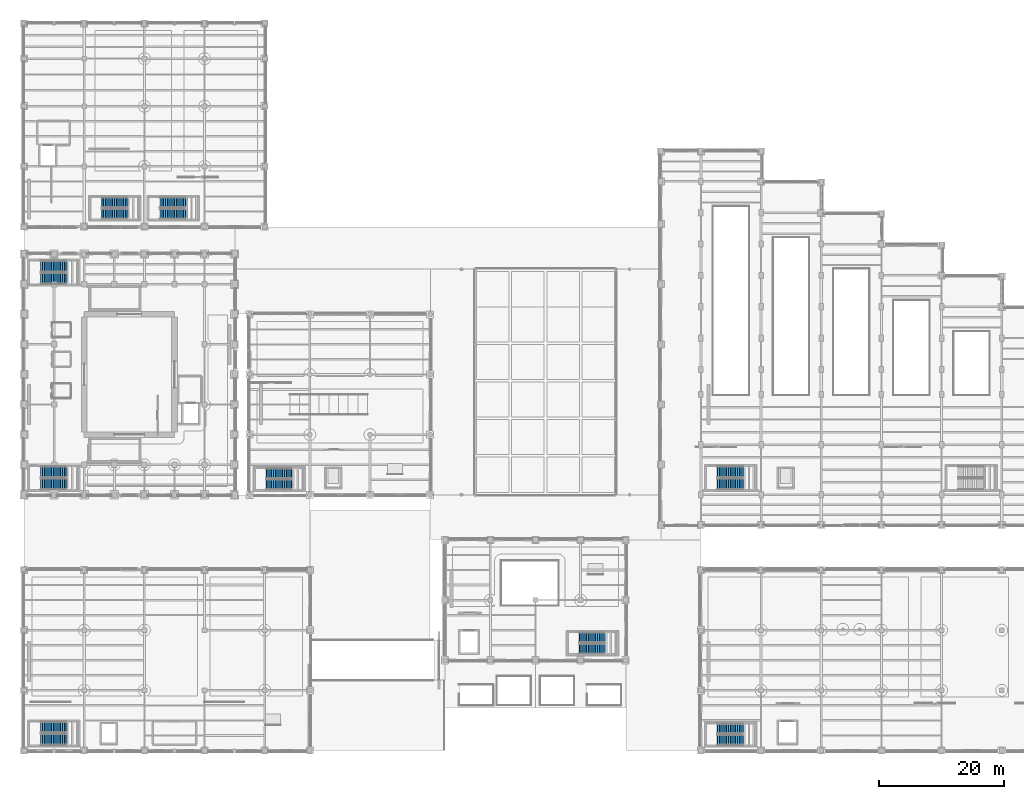
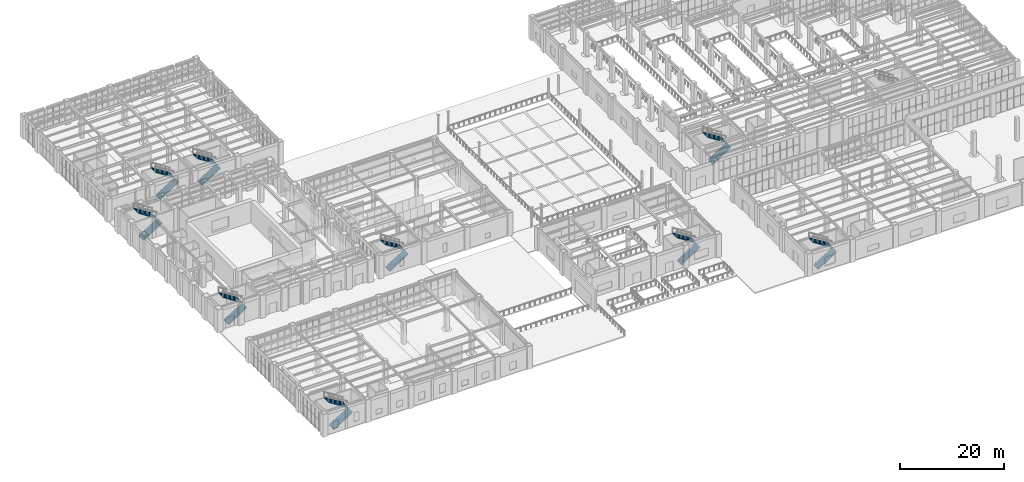
# One storey, part 138 of 164: 18 stair flights, 9 elements without a shape of their own.
"""IFC4 building model written with IfcOpenShell, lengths in metres."""

import ifcopenshell
import ifcopenshell.guid

model = None  # the IFC model being written
_history = None  # IfcOwnerHistory: only IFC2X3 demands one
_inside = {}  # id of a spatial element -> (the spatial element, [elements in it])
_under = {}  # id of a project, library or spatial element -> (it, [spatial elements below it])
_declared = {}  # id of a project -> (the project, [libraries it declares])
_typed = {}  # id of a type object -> (the type object, [elements of that type])
_made_of = {}  # id of a material, layer set ... -> (it, [elements and type objects made of it])


def new_model(schema):
    """Start an empty IFC model of exactly this schema.

    Asked for "IFC4X3", IfcOpenShell would pick the latest addendum, in which some entities
    have other attributes; the version numbers below select the first issue.
    IFC2X3 requires an IfcOwnerHistory on every rooted entity: one is made here for all.
    """
    global model, _history
    if schema == "IFC4X3":
        model = ifcopenshell.file(schema_version=(4, 3, 0, 0))
    else:
        model = ifcopenshell.file(schema=schema)
    _inside.clear()
    _under.clear()
    _declared.clear()
    _typed.clear()
    _made_of.clear()
    _history = None
    if model.schema == "IFC2X3":
        org = make("IfcOrganization", Name="unknown")
        user = make(
            "IfcPersonAndOrganization",
            ThePerson=make("IfcPerson", FamilyName="unknown"),
            TheOrganization=org,
        )
        app = make(
            "IfcApplication",
            ApplicationDeveloper=org,
            Version="unknown",
            ApplicationFullName="unknown",
            ApplicationIdentifier="unknown",
        )
        _history = make(
            "IfcOwnerHistory",
            OwningUser=user,
            OwningApplication=app,
            ChangeAction="ADDED",
            CreationDate=0,
        )
    return model


def make(cls, **values):
    """One entity of the class cls with the attributes given. An attribute that is None is left unset."""
    return model.create_entity(
        cls, **{name: value for name, value in values.items() if value is not None}
    )


def rooted(cls, **values):
    """An entity with a GlobalId (a new one), such as an element, a storey or a relation."""
    return make(cls, GlobalId=ifcopenshell.guid.new(), OwnerHistory=_history, **values)


def si_unit(unit_type, name, prefix=None):
    """IfcSIUnit, for example si_unit("LENGTHUNIT", "METRE", prefix="MILLI")."""
    return make("IfcSIUnit", UnitType=unit_type, Prefix=prefix, Name=name)


def assignment(units):
    """IfcUnitAssignment: the units of a project."""
    return None if units is None else make("IfcUnitAssignment", Units=units)


def point(xyz):
    """IfcCartesianPoint."""
    return None if xyz is None else make("IfcCartesianPoint", Coordinates=xyz)


def direction(xyz):
    """IfcDirection."""
    return None if xyz is None else make("IfcDirection", DirectionRatios=xyz)


def frame(location, z_axis=None, x_axis=None):
    """IfcAxis2Placement3D, a coordinate frame: its origin and axes. An axis left out is left unset."""
    return make(
        "IfcAxis2Placement3D",
        Location=point(location),
        Axis=direction(z_axis),
        RefDirection=direction(x_axis),
    )


def origin():
    """The frame at (0, 0, 0) with its axes left unset."""
    return frame((0.0, 0.0, 0.0))


def place(relative_to, where):
    """IfcLocalPlacement: puts the frame where relative to a parent placement (None: the world)."""
    return make(
        "IfcLocalPlacement", PlacementRelTo=relative_to, RelativePlacement=where
    )


def context(
    kind, dimensions, precision=None, world=None, true_north=None, identifier=None
):
    """IfcGeometricRepresentationContext, for example the 3D "Model" context."""
    return make(
        "IfcGeometricRepresentationContext",
        ContextIdentifier=identifier,
        ContextType=kind,
        CoordinateSpaceDimension=dimensions,
        Precision=precision,
        WorldCoordinateSystem=world,
        TrueNorth=true_north,
    )


def subcontext(parent, identifier, kind, view, scale=None):
    """IfcGeometricRepresentationSubContext, for example "Body" below "Model"."""
    return make(
        "IfcGeometricRepresentationSubContext",
        ContextIdentifier=identifier,
        ContextType=kind,
        ParentContext=parent,
        TargetScale=scale,
        TargetView=view,
    )


def project(units=None, contexts=None):
    """IfcProject with its units and contexts."""
    return rooted(
        "IfcProject",
        Name="project",
        RepresentationContexts=contexts,
        UnitsInContext=assignment(units),
    )


def spatial(cls, under=None, at=None, **own):
    """A site, building, storey or space (cls), placed at a placement, below another one or the project."""
    s = rooted(cls, ObjectPlacement=at, **own)
    if under is not None:
        _under.setdefault(under.id(), (under, []))[1].append(s)
    return s


def polyline(points):
    """IfcPolyline through the points."""
    return make("IfcPolyline", Points=[point(p) for p in points])


def outline(outer, holes=None, kind="AREA"):
    """IfcArbitraryClosedProfileDef: a profile drawn as a closed curve; with holes, ...WithVoids."""
    if holes is None:
        return make("IfcArbitraryClosedProfileDef", ProfileType=kind, OuterCurve=outer)
    return make(
        "IfcArbitraryProfileDefWithVoids",
        ProfileType=kind,
        OuterCurve=outer,
        InnerCurves=holes,
    )


def extrude(swept, where, along, depth):
    """IfcExtrudedAreaSolid: the profile swept, set in the frame where, extruded along a direction by depth."""
    return make(
        "IfcExtrudedAreaSolid",
        SweptArea=swept,
        Position=where,
        ExtrudedDirection=direction(along),
        Depth=depth,
    )


def shape(context_of_items, identifier, shape_type, items):
    """IfcShapeRepresentation: the items that make up one representation, for example the "Body"."""
    return make(
        "IfcShapeRepresentation",
        ContextOfItems=context_of_items,
        RepresentationIdentifier=identifier,
        RepresentationType=shape_type,
        Items=items,
    )


def material(Name=None, Category=None):
    """IfcMaterial."""
    return make("IfcMaterial", Name=Name, Category=Category)


def made_of(thing, what):
    """Note that an element or type object is made of a material, layer set ...; save() writes the relation."""
    if what is not None:
        _made_of.setdefault(what.id(), (what, []))[1].append(thing)
    return thing


def type_object(cls, material=None, **own):
    """A type object (cls), such as IfcWallType, which elements share."""
    return made_of(rooted(cls, **own), material)


def element(
    cls,
    number,
    at=None,
    inside=None,
    cuts=None,
    type_object=None,
    material=None,
    context=None,
    identifier="Body",
    shape_type=None,
    held_by="IfcProductDefinitionShape",
    body=None,
    shapes=None,
    **own,
):
    """One element of the class cls, such as IfcWall. Its Tag is "e" and its number.

    at: its placement. inside: the storey or other place that contains it. cuts: it is an
    opening in that element (IfcRelVoidsElement). A single representation is given by context,
    identifier, shape_type and body (its items); several are given by shapes. held_by: the class
    of the entity that holds the representations. save() writes the other relations.
    """
    e = rooted(cls, Tag="e%d" % number, ObjectPlacement=at, **own)
    if body is not None:
        shapes = [shape(context, identifier, shape_type, body)]
    if shapes is not None:
        e.Representation = make(held_by, Representations=shapes)
    if inside is not None:
        _inside.setdefault(inside.id(), (inside, []))[1].append(e)
    if cuts is not None:
        rooted(
            "IfcRelVoidsElement", RelatingBuildingElement=cuts, RelatedOpeningElement=e
        )
    if type_object is not None:
        _typed.setdefault(type_object.id(), (type_object, []))[1].append(e)
    return made_of(e, material)


def aggregate(whole, parts):
    """IfcRelAggregates: a whole, such as a stair, and the parts it consists of."""
    return rooted("IfcRelAggregates", RelatingObject=whole, RelatedObjects=parts)


def save(model, path):
    """Write the relations noted so far, then the file.

    IfcRelAggregates (storeys below a building ...), IfcRelContainedInSpatialStructure (elements
    in a storey), IfcRelDefinesByType, IfcRelAssociatesMaterial and IfcRelDeclares: one each for
    every whole, place, type object, material and project.
    """
    for whole, parts in _under.values():
        aggregate(whole, parts)
    for where, things in _inside.values():
        rooted(
            "IfcRelContainedInSpatialStructure",
            RelatedElements=things,
            RelatingStructure=where,
        )
    for kind, things in _typed.values():
        rooted("IfcRelDefinesByType", RelatedObjects=things, RelatingType=kind)
    for what, things in _made_of.values():
        rooted("IfcRelAssociatesMaterial", RelatedObjects=things, RelatingMaterial=what)
    for by, libraries in _declared.values():
        rooted("IfcRelDeclares", RelatingContext=by, RelatedDefinitions=libraries)
    model.write(path)


model = new_model("IFC4")

# Units and contexts
model_context = context("Model", 3, precision=1e-05, world=origin(), true_north=direction((0.0, 1.0)))
body_context = subcontext(model_context, "Body", "Model", "MODEL_VIEW")
ifc_project = project(units=[si_unit("LENGTHUNIT", "METRE"), si_unit("AREAUNIT", "SQUARE_METRE"), si_unit("VOLUMEUNIT", "CUBIC_METRE"), si_unit("PLANEANGLEUNIT", "RADIAN"), si_unit("MASSUNIT", "GRAM", prefix="KILO")], contexts=[model_context])

# Site, building, storey
site_placement = place(None, origin())
site = spatial("IfcSite", under=ifc_project, at=site_placement, CompositionType="ELEMENT")
building_placement = place(site_placement, origin())
building = spatial("IfcBuilding", under=site, at=building_placement, Name="Mavantir Sound Aquarium", CompositionType="ELEMENT")
storey_placement = place(building_placement, origin())
storey = spatial("IfcBuildingStorey", under=building, at=storey_placement, Name="L00", CompositionType="ELEMENT", Elevation=0.0)

# Stair, stair flights
ifc_material = material(Name="Concrete C40/50", Category="concrete")
stair_type_1 = type_object("IfcStairType", Name="STR-1650-5400", PredefinedType="HALF_TURN_STAIR", material=ifc_material)
stair_1_placement = place(storey_placement, origin())
stair_1 = element("IfcStair", 1, at=stair_1_placement, inside=storey, type_object=stair_type_1, Name="L00 Protected exit stair ST5", PredefinedType="HALF_TURN_STAIR")
stair_flight_type_1 = type_object("IfcStairFlightType", Name="STF-1650-5400", PredefinedType="STRAIGHT", material=ifc_material)
stair_flight_1_placement = place(storey_placement, frame((12.39990234375, 85.625, 0.0), z_axis=(0.0, 0.0, 1.0), x_axis=(1.0, 0.0, 0.0)))
stair_flight_1 = element("IfcStairFlight", 2, at=stair_flight_1_placement, type_object=stair_flight_type_1, Name="ST5 flight 1", NumberOfRisers=15, NumberOfTreads=14, PredefinedType="STRAIGHT", RiserHeight=0.18, TreadLength=0.29, context=body_context, shape_type="SweptSolid", body=[
    extrude(outline(polyline([(-0.044921875, -0.139892578125), (-0.044921875, 0.0), (0.0, 0.0), (0.0, 0.179931640625), (0.2900390625, 0.179931640625), (0.2900390625, 0.360107421875), (0.580078125, 0.360107421875), (0.580078125, 0.5400390625), (0.8701171875, 0.5400390625), (0.8701171875, 0.719970703125), (1.159912109375, 0.719970703125), (1.159912109375, 0.89990234375), (1.449951171875, 0.89990234375), (1.449951171875, 1.080078125), (1.739990234375, 1.080078125), (1.739990234375, 1.260009765625), (2.030029296875, 1.260009765625), (2.030029296875, 1.43994140625), (2.320068359375, 1.43994140625), (2.320068359375, 1.6201171875), (2.610107421875, 1.6201171875), (2.610107421875, 1.800048828125), (2.89990234375, 1.800048828125), (2.89990234375, 1.97998046875), (3.18994140625, 1.97998046875), (3.18994140625, 2.159912109375), (3.47998046875, 2.159912109375), (3.47998046875, 2.340087890625), (3.77001953125, 2.340087890625), (3.77001953125, 2.52001953125), (4.06005859375, 2.52001953125), (4.06005859375, 2.699951171875), (4.10498046875, 2.699951171875), (4.10498046875, 2.3798828125), (4.06005859375, 2.3798828125), (0.2255859375, -0.139892578125), (-0.044921875, -0.139892578125)])), frame((0.0, 0.824951171875, 0.0), z_axis=(0.0, -1.0, 0.0), x_axis=(1.0, 0.0, 0.0)), (0.0, 0.0, 1.0), 1.64990234375),
])
stair_flight_2_placement = place(storey_placement, frame((16.4599609375, 87.425048828125, 2.699951171875), z_axis=(0.0, 0.0, 1.0), x_axis=(-1.0, 0.0, 0.0)))
stair_flight_2 = element("IfcStairFlight", 3, at=stair_flight_2_placement, type_object=stair_flight_type_1, Name="ST5 flight 2", NumberOfRisers=15, NumberOfTreads=14, PredefinedType="STRAIGHT", RiserHeight=0.18, TreadLength=0.29, context=body_context, shape_type="SweptSolid", body=[
    extrude(outline(polyline([(-0.044921875, -0.139892578125), (-0.044921875, 0.0), (0.0, 0.0), (0.0, 0.179931640625), (0.2900390625, 0.179931640625), (0.2900390625, 0.360107421875), (0.580078125, 0.360107421875), (0.580078125, 0.5400390625), (0.8701171875, 0.5400390625), (0.8701171875, 0.719970703125), (1.159912109375, 0.719970703125), (1.159912109375, 0.89990234375), (1.449951171875, 0.89990234375), (1.449951171875, 1.080078125), (1.739990234375, 1.080078125), (1.739990234375, 1.260009765625), (2.030029296875, 1.260009765625), (2.030029296875, 1.43994140625), (2.320068359375, 1.43994140625), (2.320068359375, 1.6201171875), (2.610107421875, 1.6201171875), (2.610107421875, 1.800048828125), (2.89990234375, 1.800048828125), (2.89990234375, 1.97998046875), (3.18994140625, 1.97998046875), (3.18994140625, 2.159912109375), (3.47998046875, 2.159912109375), (3.47998046875, 2.340087890625), (3.77001953125, 2.340087890625), (3.77001953125, 2.52001953125), (4.06005859375, 2.52001953125), (4.06005859375, 2.699951171875), (4.10498046875, 2.699951171875), (4.10498046875, 2.3798828125), (4.06005859375, 2.3798828125), (0.2255859375, -0.139892578125), (-0.044921875, -0.139892578125)])), frame((0.0, 0.824951171875, 0.0), z_axis=(0.0, -1.0, 0.0), x_axis=(1.0, 0.0, 0.0)), (0.0, 0.0, 1.0), 1.64990234375),
])
aggregate(stair_1, [stair_flight_1, stair_flight_2])

stair_2_placement = place(storey_placement, origin())
stair_2 = element("IfcStair", 4, at=stair_2_placement, inside=storey, type_object=stair_type_1, Name="L00 Protected exit stair ST7", PredefinedType="HALF_TURN_STAIR")
stair_flight_3_placement = place(storey_placement, frame((21.699951171875, 85.625, 0.0), z_axis=(0.0, 0.0, 1.0), x_axis=(1.0, 0.0, 0.0)))
stair_flight_3 = element("IfcStairFlight", 5, at=stair_flight_3_placement, type_object=stair_flight_type_1, Name="ST7 flight 1", NumberOfRisers=15, NumberOfTreads=14, PredefinedType="STRAIGHT", RiserHeight=0.18, TreadLength=0.29, context=body_context, shape_type="SweptSolid", body=[
    extrude(outline(polyline([(-0.044921875, -0.139892578125), (-0.044921875, 0.0), (0.0, 0.0), (0.0, 0.179931640625), (0.2900390625, 0.179931640625), (0.2900390625, 0.360107421875), (0.580078125, 0.360107421875), (0.580078125, 0.5400390625), (0.8701171875, 0.5400390625), (0.8701171875, 0.719970703125), (1.159912109375, 0.719970703125), (1.159912109375, 0.89990234375), (1.449951171875, 0.89990234375), (1.449951171875, 1.080078125), (1.739990234375, 1.080078125), (1.739990234375, 1.260009765625), (2.030029296875, 1.260009765625), (2.030029296875, 1.43994140625), (2.320068359375, 1.43994140625), (2.320068359375, 1.6201171875), (2.610107421875, 1.6201171875), (2.610107421875, 1.800048828125), (2.89990234375, 1.800048828125), (2.89990234375, 1.97998046875), (3.18994140625, 1.97998046875), (3.18994140625, 2.159912109375), (3.47998046875, 2.159912109375), (3.47998046875, 2.340087890625), (3.77001953125, 2.340087890625), (3.77001953125, 2.52001953125), (4.06005859375, 2.52001953125), (4.06005859375, 2.699951171875), (4.10498046875, 2.699951171875), (4.10498046875, 2.3798828125), (4.06005859375, 2.3798828125), (0.2255859375, -0.139892578125), (-0.044921875, -0.139892578125)])), frame((0.0, 0.824951171875, 0.0), z_axis=(0.0, -1.0, 0.0), x_axis=(1.0, 0.0, 0.0)), (0.0, 0.0, 1.0), 1.64990234375),
])
stair_flight_4_placement = place(storey_placement, frame((25.760009765625, 87.425048828125, 2.699951171875), z_axis=(0.0, 0.0, 1.0), x_axis=(-1.0, 0.0, 0.0)))
stair_flight_4 = element("IfcStairFlight", 6, at=stair_flight_4_placement, type_object=stair_flight_type_1, Name="ST7 flight 2", NumberOfRisers=15, NumberOfTreads=14, PredefinedType="STRAIGHT", RiserHeight=0.18, TreadLength=0.29, context=body_context, shape_type="SweptSolid", body=[
    extrude(outline(polyline([(-0.044921875, -0.139892578125), (-0.044921875, 0.0), (0.0, 0.0), (0.0, 0.179931640625), (0.2900390625, 0.179931640625), (0.2900390625, 0.360107421875), (0.580078125, 0.360107421875), (0.580078125, 0.5400390625), (0.8701171875, 0.5400390625), (0.8701171875, 0.719970703125), (1.159912109375, 0.719970703125), (1.159912109375, 0.89990234375), (1.449951171875, 0.89990234375), (1.449951171875, 1.080078125), (1.739990234375, 1.080078125), (1.739990234375, 1.260009765625), (2.030029296875, 1.260009765625), (2.030029296875, 1.43994140625), (2.320068359375, 1.43994140625), (2.320068359375, 1.6201171875), (2.610107421875, 1.6201171875), (2.610107421875, 1.800048828125), (2.89990234375, 1.800048828125), (2.89990234375, 1.97998046875), (3.18994140625, 1.97998046875), (3.18994140625, 2.159912109375), (3.47998046875, 2.159912109375), (3.47998046875, 2.340087890625), (3.77001953125, 2.340087890625), (3.77001953125, 2.52001953125), (4.06005859375, 2.52001953125), (4.06005859375, 2.699951171875), (4.10498046875, 2.699951171875), (4.10498046875, 2.3798828125), (4.06005859375, 2.3798828125), (0.2255859375, -0.139892578125), (-0.044921875, -0.139892578125)])), frame((0.0, 0.824951171875, 0.0), z_axis=(0.0, -1.0, 0.0), x_axis=(1.0, 0.0, 0.0)), (0.0, 0.0, 1.0), 1.64990234375),
])
aggregate(stair_2, [stair_flight_3, stair_flight_4])

stair_3_placement = place(storey_placement, origin())
stair_3 = element("IfcStair", 7, at=stair_3_placement, inside=storey, type_object=stair_type_1, Name="L00 Protected exit stair ST6", PredefinedType="HALF_TURN_STAIR")
stair_flight_5_placement = place(storey_placement, frame((110.64990234375, 1.675048828125, 0.0), z_axis=(0.0, 0.0, 1.0), x_axis=(1.0, 0.0, 0.0)))
stair_flight_5 = element("IfcStairFlight", 8, at=stair_flight_5_placement, type_object=stair_flight_type_1, Name="ST6 flight 1", NumberOfRisers=15, NumberOfTreads=14, PredefinedType="STRAIGHT", RiserHeight=0.18, TreadLength=0.29, context=body_context, shape_type="SweptSolid", body=[
    extrude(outline(polyline([(-0.044921875, -0.139892578125), (-0.044921875, 0.0), (0.0, 0.0), (0.0, 0.179931640625), (0.2900390625, 0.179931640625), (0.2900390625, 0.360107421875), (0.580078125, 0.360107421875), (0.580078125, 0.5400390625), (0.8701171875, 0.5400390625), (0.8701171875, 0.719970703125), (1.159912109375, 0.719970703125), (1.159912109375, 0.89990234375), (1.449951171875, 0.89990234375), (1.449951171875, 1.080078125), (1.739990234375, 1.080078125), (1.739990234375, 1.260009765625), (2.030029296875, 1.260009765625), (2.030029296875, 1.43994140625), (2.320068359375, 1.43994140625), (2.320068359375, 1.6201171875), (2.610107421875, 1.6201171875), (2.610107421875, 1.800048828125), (2.89990234375, 1.800048828125), (2.89990234375, 1.97998046875), (3.18994140625, 1.97998046875), (3.18994140625, 2.159912109375), (3.47998046875, 2.159912109375), (3.47998046875, 2.340087890625), (3.77001953125, 2.340087890625), (3.77001953125, 2.52001953125), (4.06005859375, 2.52001953125), (4.06005859375, 2.699951171875), (4.10498046875, 2.699951171875), (4.10498046875, 2.3798828125), (4.06005859375, 2.3798828125), (0.2255859375, -0.139892578125), (-0.044921875, -0.139892578125)])), frame((0.0, 0.824951171875, 0.0), z_axis=(0.0, -1.0, 0.0), x_axis=(1.0, 0.0, 0.0)), (0.0, 0.0, 1.0), 1.64990234375),
])
stair_flight_6_placement = place(storey_placement, frame((114.7099609375, 3.47509765625, 2.699951171875), z_axis=(0.0, 0.0, 1.0), x_axis=(-1.0, 0.0, 0.0)))
stair_flight_6 = element("IfcStairFlight", 9, at=stair_flight_6_placement, type_object=stair_flight_type_1, Name="ST6 flight 2", NumberOfRisers=15, NumberOfTreads=14, PredefinedType="STRAIGHT", RiserHeight=0.18, TreadLength=0.29, context=body_context, shape_type="SweptSolid", body=[
    extrude(outline(polyline([(-0.044921875, -0.139892578125), (-0.044921875, 0.0), (0.0, 0.0), (0.0, 0.179931640625), (0.2900390625, 0.179931640625), (0.2900390625, 0.360107421875), (0.580078125, 0.360107421875), (0.580078125, 0.5400390625), (0.8701171875, 0.5400390625), (0.8701171875, 0.719970703125), (1.159912109375, 0.719970703125), (1.159912109375, 0.89990234375), (1.449951171875, 0.89990234375), (1.449951171875, 1.080078125), (1.739990234375, 1.080078125), (1.739990234375, 1.260009765625), (2.030029296875, 1.260009765625), (2.030029296875, 1.43994140625), (2.320068359375, 1.43994140625), (2.320068359375, 1.6201171875), (2.610107421875, 1.6201171875), (2.610107421875, 1.800048828125), (2.89990234375, 1.800048828125), (2.89990234375, 1.97998046875), (3.18994140625, 1.97998046875), (3.18994140625, 2.159912109375), (3.47998046875, 2.159912109375), (3.47998046875, 2.340087890625), (3.77001953125, 2.340087890625), (3.77001953125, 2.52001953125), (4.06005859375, 2.52001953125), (4.06005859375, 2.699951171875), (4.10498046875, 2.699951171875), (4.10498046875, 2.3798828125), (4.06005859375, 2.3798828125), (0.2255859375, -0.139892578125), (-0.044921875, -0.139892578125)])), frame((0.0, 0.824951171875, 0.0), z_axis=(0.0, -1.0, 0.0), x_axis=(1.0, 0.0, 0.0)), (0.0, 0.0, 1.0), 1.64990234375),
])
aggregate(stair_3, [stair_flight_5, stair_flight_6])

stair_4_placement = place(storey_placement, origin())
stair_4 = element("IfcStair", 10, at=stair_4_placement, inside=storey, type_object=stair_type_1, Name="L00 Protected exit stair ST8", PredefinedType="HALF_TURN_STAIR")
stair_flight_7_placement = place(storey_placement, frame((38.64990234375, 42.425048828125, 0.0), z_axis=(0.0, 0.0, 1.0), x_axis=(1.0, 0.0, 0.0)))
stair_flight_7 = element("IfcStairFlight", 11, at=stair_flight_7_placement, type_object=stair_flight_type_1, Name="ST8 flight 1", NumberOfRisers=15, NumberOfTreads=14, PredefinedType="STRAIGHT", RiserHeight=0.18, TreadLength=0.29, context=body_context, shape_type="SweptSolid", body=[
    extrude(outline(polyline([(-0.044921875, -0.139892578125), (-0.044921875, 0.0), (0.0, 0.0), (0.0, 0.179931640625), (0.2900390625, 0.179931640625), (0.2900390625, 0.360107421875), (0.580078125, 0.360107421875), (0.580078125, 0.5400390625), (0.8701171875, 0.5400390625), (0.8701171875, 0.719970703125), (1.159912109375, 0.719970703125), (1.159912109375, 0.89990234375), (1.449951171875, 0.89990234375), (1.449951171875, 1.080078125), (1.739990234375, 1.080078125), (1.739990234375, 1.260009765625), (2.030029296875, 1.260009765625), (2.030029296875, 1.43994140625), (2.320068359375, 1.43994140625), (2.320068359375, 1.6201171875), (2.610107421875, 1.6201171875), (2.610107421875, 1.800048828125), (2.89990234375, 1.800048828125), (2.89990234375, 1.97998046875), (3.18994140625, 1.97998046875), (3.18994140625, 2.159912109375), (3.47998046875, 2.159912109375), (3.47998046875, 2.340087890625), (3.77001953125, 2.340087890625), (3.77001953125, 2.52001953125), (4.06005859375, 2.52001953125), (4.06005859375, 2.699951171875), (4.10498046875, 2.699951171875), (4.10498046875, 2.3798828125), (4.06005859375, 2.3798828125), (0.2255859375, -0.139892578125), (-0.044921875, -0.139892578125)])), frame((0.0, 0.824951171875, 0.0), z_axis=(0.0, -1.0, 0.0), x_axis=(1.0, 0.0, 0.0)), (0.0, 0.0, 1.0), 1.64990234375),
])
stair_flight_8_placement = place(storey_placement, frame((42.7099609375, 44.22509765625, 2.699951171875), z_axis=(0.0, 0.0, 1.0), x_axis=(-1.0, 0.0, 0.0)))
stair_flight_8 = element("IfcStairFlight", 12, at=stair_flight_8_placement, type_object=stair_flight_type_1, Name="ST8 flight 2", NumberOfRisers=15, NumberOfTreads=14, PredefinedType="STRAIGHT", RiserHeight=0.18, TreadLength=0.29, context=body_context, shape_type="SweptSolid", body=[
    extrude(outline(polyline([(-0.044921875, -0.139892578125), (-0.044921875, 0.0), (0.0, 0.0), (0.0, 0.179931640625), (0.2900390625, 0.179931640625), (0.2900390625, 0.360107421875), (0.580078125, 0.360107421875), (0.580078125, 0.5400390625), (0.8701171875, 0.5400390625), (0.8701171875, 0.719970703125), (1.159912109375, 0.719970703125), (1.159912109375, 0.89990234375), (1.449951171875, 0.89990234375), (1.449951171875, 1.080078125), (1.739990234375, 1.080078125), (1.739990234375, 1.260009765625), (2.030029296875, 1.260009765625), (2.030029296875, 1.43994140625), (2.320068359375, 1.43994140625), (2.320068359375, 1.6201171875), (2.610107421875, 1.6201171875), (2.610107421875, 1.800048828125), (2.89990234375, 1.800048828125), (2.89990234375, 1.97998046875), (3.18994140625, 1.97998046875), (3.18994140625, 2.159912109375), (3.47998046875, 2.159912109375), (3.47998046875, 2.340087890625), (3.77001953125, 2.340087890625), (3.77001953125, 2.52001953125), (4.06005859375, 2.52001953125), (4.06005859375, 2.699951171875), (4.10498046875, 2.699951171875), (4.10498046875, 2.3798828125), (4.06005859375, 2.3798828125), (0.2255859375, -0.139892578125), (-0.044921875, -0.139892578125)])), frame((0.0, 0.824951171875, 0.0), z_axis=(0.0, -1.0, 0.0), x_axis=(1.0, 0.0, 0.0)), (0.0, 0.0, 1.0), 1.64990234375),
])
aggregate(stair_4, [stair_flight_7, stair_flight_8])

stair_5_placement = place(storey_placement, origin())
stair_5 = element("IfcStair", 13, at=stair_5_placement, inside=storey, type_object=stair_type_1, Name="L00 Protected exit stair ST11", PredefinedType="HALF_TURN_STAIR")
stair_flight_9_placement = place(storey_placement, frame((88.60009765625, 16.22509765625, 0.0), z_axis=(0.0, 0.0, 1.0), x_axis=(1.0, 0.0, 0.0)))
stair_flight_9 = element("IfcStairFlight", 14, at=stair_flight_9_placement, type_object=stair_flight_type_1, Name="ST11 flight 1", NumberOfRisers=15, NumberOfTreads=14, PredefinedType="STRAIGHT", RiserHeight=0.18, TreadLength=0.29, context=body_context, shape_type="SweptSolid", body=[
    extrude(outline(polyline([(-0.044921875, -0.139892578125), (-0.044921875, 0.0), (0.0, 0.0), (0.0, 0.179931640625), (0.2900390625, 0.179931640625), (0.2900390625, 0.360107421875), (0.580078125, 0.360107421875), (0.580078125, 0.5400390625), (0.8701171875, 0.5400390625), (0.8701171875, 0.719970703125), (1.159912109375, 0.719970703125), (1.159912109375, 0.89990234375), (1.449951171875, 0.89990234375), (1.449951171875, 1.080078125), (1.739990234375, 1.080078125), (1.739990234375, 1.260009765625), (2.030029296875, 1.260009765625), (2.030029296875, 1.43994140625), (2.320068359375, 1.43994140625), (2.320068359375, 1.6201171875), (2.610107421875, 1.6201171875), (2.610107421875, 1.800048828125), (2.89990234375, 1.800048828125), (2.89990234375, 1.97998046875), (3.18994140625, 1.97998046875), (3.18994140625, 2.159912109375), (3.47998046875, 2.159912109375), (3.47998046875, 2.340087890625), (3.77001953125, 2.340087890625), (3.77001953125, 2.52001953125), (4.06005859375, 2.52001953125), (4.06005859375, 2.699951171875), (4.10498046875, 2.699951171875), (4.10498046875, 2.3798828125), (4.06005859375, 2.3798828125), (0.2255859375, -0.139892578125), (-0.044921875, -0.139892578125)])), frame((0.0, 0.824951171875, 0.0), z_axis=(0.0, -1.0, 0.0), x_axis=(1.0, 0.0, 0.0)), (0.0, 0.0, 1.0), 1.64990234375),
])
stair_flight_10_placement = place(storey_placement, frame((92.659912109375, 18.02490234375, 2.699951171875), z_axis=(0.0, 0.0, 1.0), x_axis=(-1.0, 0.0, 0.0)))
stair_flight_10 = element("IfcStairFlight", 15, at=stair_flight_10_placement, type_object=stair_flight_type_1, Name="ST11 flight 2", NumberOfRisers=15, NumberOfTreads=14, PredefinedType="STRAIGHT", RiserHeight=0.18, TreadLength=0.29, context=body_context, shape_type="SweptSolid", body=[
    extrude(outline(polyline([(-0.044921875, -0.139892578125), (-0.044921875, 0.0), (0.0, 0.0), (0.0, 0.179931640625), (0.2900390625, 0.179931640625), (0.2900390625, 0.360107421875), (0.580078125, 0.360107421875), (0.580078125, 0.5400390625), (0.8701171875, 0.5400390625), (0.8701171875, 0.719970703125), (1.159912109375, 0.719970703125), (1.159912109375, 0.89990234375), (1.449951171875, 0.89990234375), (1.449951171875, 1.080078125), (1.739990234375, 1.080078125), (1.739990234375, 1.260009765625), (2.030029296875, 1.260009765625), (2.030029296875, 1.43994140625), (2.320068359375, 1.43994140625), (2.320068359375, 1.6201171875), (2.610107421875, 1.6201171875), (2.610107421875, 1.800048828125), (2.89990234375, 1.800048828125), (2.89990234375, 1.97998046875), (3.18994140625, 1.97998046875), (3.18994140625, 2.159912109375), (3.47998046875, 2.159912109375), (3.47998046875, 2.340087890625), (3.77001953125, 2.340087890625), (3.77001953125, 2.52001953125), (4.06005859375, 2.52001953125), (4.06005859375, 2.699951171875), (4.10498046875, 2.699951171875), (4.10498046875, 2.3798828125), (4.06005859375, 2.3798828125), (0.2255859375, -0.139892578125), (-0.044921875, -0.139892578125)])), frame((0.0, 0.824951171875, 0.0), z_axis=(0.0, -1.0, 0.0), x_axis=(1.0, 0.0, 0.0)), (0.0, 0.0, 1.0), 1.64990234375),
])
aggregate(stair_5, [stair_flight_9, stair_flight_10])

stair_type_2 = type_object("IfcStairType", Name="STR-1800-5400", PredefinedType="HALF_TURN_STAIR", material=ifc_material)
stair_6_placement = place(storey_placement, origin())
stair_6 = element("IfcStair", 16, at=stair_6_placement, inside=storey, type_object=stair_type_2, Name="L00 Protected exit stair ST1", PredefinedType="HALF_TURN_STAIR")
stair_flight_type_2 = type_object("IfcStairFlightType", Name="STF-1800-5400", PredefinedType="STRAIGHT", material=ifc_material)
stair_flight_11_placement = place(storey_placement, frame((2.64990234375, 42.5, 0.0), z_axis=(0.0, 0.0, 1.0), x_axis=(1.0, 0.0, 0.0)))
stair_flight_11 = element("IfcStairFlight", 17, at=stair_flight_11_placement, type_object=stair_flight_type_2, Name="ST1 flight 1", NumberOfRisers=15, NumberOfTreads=14, PredefinedType="STRAIGHT", RiserHeight=0.18, TreadLength=0.29, context=body_context, shape_type="SweptSolid", body=[
    extrude(outline(polyline([(-0.044921875, -0.139892578125), (-0.044921875, 0.0), (0.0, 0.0), (0.0, 0.179931640625), (0.2900390625, 0.179931640625), (0.2900390625, 0.360107421875), (0.580078125, 0.360107421875), (0.580078125, 0.5400390625), (0.8701171875, 0.5400390625), (0.8701171875, 0.719970703125), (1.159912109375, 0.719970703125), (1.159912109375, 0.89990234375), (1.449951171875, 0.89990234375), (1.449951171875, 1.080078125), (1.739990234375, 1.080078125), (1.739990234375, 1.260009765625), (2.030029296875, 1.260009765625), (2.030029296875, 1.43994140625), (2.320068359375, 1.43994140625), (2.320068359375, 1.6201171875), (2.610107421875, 1.6201171875), (2.610107421875, 1.800048828125), (2.89990234375, 1.800048828125), (2.89990234375, 1.97998046875), (3.18994140625, 1.97998046875), (3.18994140625, 2.159912109375), (3.47998046875, 2.159912109375), (3.47998046875, 2.340087890625), (3.77001953125, 2.340087890625), (3.77001953125, 2.52001953125), (4.06005859375, 2.52001953125), (4.06005859375, 2.699951171875), (4.10498046875, 2.699951171875), (4.10498046875, 2.3798828125), (4.06005859375, 2.3798828125), (0.2255859375, -0.139892578125), (-0.044921875, -0.139892578125)])), frame((0.0, 0.89990234375, 0.0), z_axis=(0.0, -1.0, 0.0), x_axis=(1.0, 0.0, 0.0)), (0.0, 0.0, 1.0), 1.800048828125),
])
stair_flight_12_placement = place(storey_placement, frame((6.7099609375, 44.449951171875, 2.699951171875), z_axis=(0.0, 0.0, 1.0), x_axis=(-1.0, 0.0, 0.0)))
stair_flight_12 = element("IfcStairFlight", 18, at=stair_flight_12_placement, type_object=stair_flight_type_2, Name="ST1 flight 2", NumberOfRisers=15, NumberOfTreads=14, PredefinedType="STRAIGHT", RiserHeight=0.18, TreadLength=0.29, context=body_context, shape_type="SweptSolid", body=[
    extrude(outline(polyline([(-0.044921875, -0.139892578125), (-0.044921875, 0.0), (0.0, 0.0), (0.0, 0.179931640625), (0.2900390625, 0.179931640625), (0.2900390625, 0.360107421875), (0.580078125, 0.360107421875), (0.580078125, 0.5400390625), (0.8701171875, 0.5400390625), (0.8701171875, 0.719970703125), (1.159912109375, 0.719970703125), (1.159912109375, 0.89990234375), (1.449951171875, 0.89990234375), (1.449951171875, 1.080078125), (1.739990234375, 1.080078125), (1.739990234375, 1.260009765625), (2.030029296875, 1.260009765625), (2.030029296875, 1.43994140625), (2.320068359375, 1.43994140625), (2.320068359375, 1.6201171875), (2.610107421875, 1.6201171875), (2.610107421875, 1.800048828125), (2.89990234375, 1.800048828125), (2.89990234375, 1.97998046875), (3.18994140625, 1.97998046875), (3.18994140625, 2.159912109375), (3.47998046875, 2.159912109375), (3.47998046875, 2.340087890625), (3.77001953125, 2.340087890625), (3.77001953125, 2.52001953125), (4.06005859375, 2.52001953125), (4.06005859375, 2.699951171875), (4.10498046875, 2.699951171875), (4.10498046875, 2.3798828125), (4.06005859375, 2.3798828125), (0.2255859375, -0.139892578125), (-0.044921875, -0.139892578125)])), frame((0.0, 0.89990234375, 0.0), z_axis=(0.0, -1.0, 0.0), x_axis=(1.0, 0.0, 0.0)), (0.0, 0.0, 1.0), 1.800048828125),
])
aggregate(stair_6, [stair_flight_11, stair_flight_12])

stair_7_placement = place(storey_placement, origin())
stair_7 = element("IfcStair", 19, at=stair_7_placement, inside=storey, type_object=stair_type_2, Name="L00 Protected exit stair ST2", PredefinedType="HALF_TURN_STAIR")
stair_flight_13_placement = place(storey_placement, frame((2.64990234375, 75.300048828125, 0.0), z_axis=(0.0, 0.0, 1.0), x_axis=(1.0, 0.0, 0.0)))
stair_flight_13 = element("IfcStairFlight", 20, at=stair_flight_13_placement, type_object=stair_flight_type_2, Name="ST2 flight 1", NumberOfRisers=15, NumberOfTreads=14, PredefinedType="STRAIGHT", RiserHeight=0.18, TreadLength=0.29, context=body_context, shape_type="SweptSolid", body=[
    extrude(outline(polyline([(-0.044921875, -0.139892578125), (-0.044921875, 0.0), (0.0, 0.0), (0.0, 0.179931640625), (0.2900390625, 0.179931640625), (0.2900390625, 0.360107421875), (0.580078125, 0.360107421875), (0.580078125, 0.5400390625), (0.8701171875, 0.5400390625), (0.8701171875, 0.719970703125), (1.159912109375, 0.719970703125), (1.159912109375, 0.89990234375), (1.449951171875, 0.89990234375), (1.449951171875, 1.080078125), (1.739990234375, 1.080078125), (1.739990234375, 1.260009765625), (2.030029296875, 1.260009765625), (2.030029296875, 1.43994140625), (2.320068359375, 1.43994140625), (2.320068359375, 1.6201171875), (2.610107421875, 1.6201171875), (2.610107421875, 1.800048828125), (2.89990234375, 1.800048828125), (2.89990234375, 1.97998046875), (3.18994140625, 1.97998046875), (3.18994140625, 2.159912109375), (3.47998046875, 2.159912109375), (3.47998046875, 2.340087890625), (3.77001953125, 2.340087890625), (3.77001953125, 2.52001953125), (4.06005859375, 2.52001953125), (4.06005859375, 2.699951171875), (4.10498046875, 2.699951171875), (4.10498046875, 2.3798828125), (4.06005859375, 2.3798828125), (0.2255859375, -0.139892578125), (-0.044921875, -0.139892578125)])), frame((0.0, 0.89990234375, 0.0), z_axis=(0.0, -1.0, 0.0), x_axis=(1.0, 0.0, 0.0)), (0.0, 0.0, 1.0), 1.800048828125),
])
stair_flight_14_placement = place(storey_placement, frame((6.7099609375, 77.25, 2.699951171875), z_axis=(0.0, 0.0, 1.0), x_axis=(-1.0, 0.0, 0.0)))
stair_flight_14 = element("IfcStairFlight", 21, at=stair_flight_14_placement, type_object=stair_flight_type_2, Name="ST2 flight 2", NumberOfRisers=15, NumberOfTreads=14, PredefinedType="STRAIGHT", RiserHeight=0.18, TreadLength=0.29, context=body_context, shape_type="SweptSolid", body=[
    extrude(outline(polyline([(-0.044921875, -0.139892578125), (-0.044921875, 0.0), (0.0, 0.0), (0.0, 0.179931640625), (0.2900390625, 0.179931640625), (0.2900390625, 0.360107421875), (0.580078125, 0.360107421875), (0.580078125, 0.5400390625), (0.8701171875, 0.5400390625), (0.8701171875, 0.719970703125), (1.159912109375, 0.719970703125), (1.159912109375, 0.89990234375), (1.449951171875, 0.89990234375), (1.449951171875, 1.080078125), (1.739990234375, 1.080078125), (1.739990234375, 1.260009765625), (2.030029296875, 1.260009765625), (2.030029296875, 1.43994140625), (2.320068359375, 1.43994140625), (2.320068359375, 1.6201171875), (2.610107421875, 1.6201171875), (2.610107421875, 1.800048828125), (2.89990234375, 1.800048828125), (2.89990234375, 1.97998046875), (3.18994140625, 1.97998046875), (3.18994140625, 2.159912109375), (3.47998046875, 2.159912109375), (3.47998046875, 2.340087890625), (3.77001953125, 2.340087890625), (3.77001953125, 2.52001953125), (4.06005859375, 2.52001953125), (4.06005859375, 2.699951171875), (4.10498046875, 2.699951171875), (4.10498046875, 2.3798828125), (4.06005859375, 2.3798828125), (0.2255859375, -0.139892578125), (-0.044921875, -0.139892578125)])), frame((0.0, 0.89990234375, 0.0), z_axis=(0.0, -1.0, 0.0), x_axis=(1.0, 0.0, 0.0)), (0.0, 0.0, 1.0), 1.800048828125),
])
aggregate(stair_7, [stair_flight_13, stair_flight_14])

stair_8_placement = place(storey_placement, origin())
stair_8 = element("IfcStair", 22, at=stair_8_placement, inside=storey, type_object=stair_type_2, Name="L00 Protected exit stair ST3", PredefinedType="HALF_TURN_STAIR")
stair_flight_15_placement = place(storey_placement, frame((2.64990234375, 1.75, 0.0), z_axis=(0.0, 0.0, 1.0), x_axis=(1.0, 0.0, 0.0)))
stair_flight_15 = element("IfcStairFlight", 23, at=stair_flight_15_placement, type_object=stair_flight_type_2, Name="ST3 flight 1", NumberOfRisers=15, NumberOfTreads=14, PredefinedType="STRAIGHT", RiserHeight=0.18, TreadLength=0.29, context=body_context, shape_type="SweptSolid", body=[
    extrude(outline(polyline([(-0.044921875, -0.139892578125), (-0.044921875, 0.0), (0.0, 0.0), (0.0, 0.179931640625), (0.2900390625, 0.179931640625), (0.2900390625, 0.360107421875), (0.580078125, 0.360107421875), (0.580078125, 0.5400390625), (0.8701171875, 0.5400390625), (0.8701171875, 0.719970703125), (1.159912109375, 0.719970703125), (1.159912109375, 0.89990234375), (1.449951171875, 0.89990234375), (1.449951171875, 1.080078125), (1.739990234375, 1.080078125), (1.739990234375, 1.260009765625), (2.030029296875, 1.260009765625), (2.030029296875, 1.43994140625), (2.320068359375, 1.43994140625), (2.320068359375, 1.6201171875), (2.610107421875, 1.6201171875), (2.610107421875, 1.800048828125), (2.89990234375, 1.800048828125), (2.89990234375, 1.97998046875), (3.18994140625, 1.97998046875), (3.18994140625, 2.159912109375), (3.47998046875, 2.159912109375), (3.47998046875, 2.340087890625), (3.77001953125, 2.340087890625), (3.77001953125, 2.52001953125), (4.06005859375, 2.52001953125), (4.06005859375, 2.699951171875), (4.10498046875, 2.699951171875), (4.10498046875, 2.3798828125), (4.06005859375, 2.3798828125), (0.2255859375, -0.139892578125), (-0.044921875, -0.139892578125)])), frame((0.0, 0.89990234375, 0.0), z_axis=(0.0, -1.0, 0.0), x_axis=(1.0, 0.0, 0.0)), (0.0, 0.0, 1.0), 1.800048828125),
])
stair_flight_16_placement = place(storey_placement, frame((6.7099609375, 3.699951171875, 2.699951171875), z_axis=(0.0, 0.0, 1.0), x_axis=(-1.0, 0.0, 0.0)))
stair_flight_16 = element("IfcStairFlight", 24, at=stair_flight_16_placement, type_object=stair_flight_type_2, Name="ST3 flight 2", NumberOfRisers=15, NumberOfTreads=14, PredefinedType="STRAIGHT", RiserHeight=0.18, TreadLength=0.29, context=body_context, shape_type="SweptSolid", body=[
    extrude(outline(polyline([(-0.044921875, -0.139892578125), (-0.044921875, 0.0), (0.0, 0.0), (0.0, 0.179931640625), (0.2900390625, 0.179931640625), (0.2900390625, 0.360107421875), (0.580078125, 0.360107421875), (0.580078125, 0.5400390625), (0.8701171875, 0.5400390625), (0.8701171875, 0.719970703125), (1.159912109375, 0.719970703125), (1.159912109375, 0.89990234375), (1.449951171875, 0.89990234375), (1.449951171875, 1.080078125), (1.739990234375, 1.080078125), (1.739990234375, 1.260009765625), (2.030029296875, 1.260009765625), (2.030029296875, 1.43994140625), (2.320068359375, 1.43994140625), (2.320068359375, 1.6201171875), (2.610107421875, 1.6201171875), (2.610107421875, 1.800048828125), (2.89990234375, 1.800048828125), (2.89990234375, 1.97998046875), (3.18994140625, 1.97998046875), (3.18994140625, 2.159912109375), (3.47998046875, 2.159912109375), (3.47998046875, 2.340087890625), (3.77001953125, 2.340087890625), (3.77001953125, 2.52001953125), (4.06005859375, 2.52001953125), (4.06005859375, 2.699951171875), (4.10498046875, 2.699951171875), (4.10498046875, 2.3798828125), (4.06005859375, 2.3798828125), (0.2255859375, -0.139892578125), (-0.044921875, -0.139892578125)])), frame((0.0, 0.89990234375, 0.0), z_axis=(0.0, -1.0, 0.0), x_axis=(1.0, 0.0, 0.0)), (0.0, 0.0, 1.0), 1.800048828125),
])
aggregate(stair_8, [stair_flight_15, stair_flight_16])

stair_9_placement = place(storey_placement, origin())
stair_9 = element("IfcStair", 25, at=stair_9_placement, inside=storey, type_object=stair_type_2, Name="L00 Protected exit stair ST4", PredefinedType="HALF_TURN_STAIR")
stair_flight_17_placement = place(storey_placement, frame((110.64990234375, 42.5, 0.0), z_axis=(0.0, 0.0, 1.0), x_axis=(1.0, 0.0, 0.0)))
stair_flight_17 = element("IfcStairFlight", 26, at=stair_flight_17_placement, type_object=stair_flight_type_2, Name="ST4 flight 1", NumberOfRisers=15, NumberOfTreads=14, PredefinedType="STRAIGHT", RiserHeight=0.18, TreadLength=0.29, context=body_context, shape_type="SweptSolid", body=[
    extrude(outline(polyline([(-0.044921875, -0.139892578125), (-0.044921875, 0.0), (0.0, 0.0), (0.0, 0.179931640625), (0.2900390625, 0.179931640625), (0.2900390625, 0.360107421875), (0.580078125, 0.360107421875), (0.580078125, 0.5400390625), (0.8701171875, 0.5400390625), (0.8701171875, 0.719970703125), (1.159912109375, 0.719970703125), (1.159912109375, 0.89990234375), (1.449951171875, 0.89990234375), (1.449951171875, 1.080078125), (1.739990234375, 1.080078125), (1.739990234375, 1.260009765625), (2.030029296875, 1.260009765625), (2.030029296875, 1.43994140625), (2.320068359375, 1.43994140625), (2.320068359375, 1.6201171875), (2.610107421875, 1.6201171875), (2.610107421875, 1.800048828125), (2.89990234375, 1.800048828125), (2.89990234375, 1.97998046875), (3.18994140625, 1.97998046875), (3.18994140625, 2.159912109375), (3.47998046875, 2.159912109375), (3.47998046875, 2.340087890625), (3.77001953125, 2.340087890625), (3.77001953125, 2.52001953125), (4.06005859375, 2.52001953125), (4.06005859375, 2.699951171875), (4.10498046875, 2.699951171875), (4.10498046875, 2.3798828125), (4.06005859375, 2.3798828125), (0.2255859375, -0.139892578125), (-0.044921875, -0.139892578125)])), frame((0.0, 0.89990234375, 0.0), z_axis=(0.0, -1.0, 0.0), x_axis=(1.0, 0.0, 0.0)), (0.0, 0.0, 1.0), 1.800048828125),
])
stair_flight_18_placement = place(storey_placement, frame((114.7099609375, 44.449951171875, 2.699951171875), z_axis=(0.0, 0.0, 1.0), x_axis=(-1.0, 0.0, 0.0)))
stair_flight_18 = element("IfcStairFlight", 27, at=stair_flight_18_placement, type_object=stair_flight_type_2, Name="ST4 flight 2", NumberOfRisers=15, NumberOfTreads=14, PredefinedType="STRAIGHT", RiserHeight=0.18, TreadLength=0.29, context=body_context, shape_type="SweptSolid", body=[
    extrude(outline(polyline([(-0.044921875, -0.139892578125), (-0.044921875, 0.0), (0.0, 0.0), (0.0, 0.179931640625), (0.2900390625, 0.179931640625), (0.2900390625, 0.360107421875), (0.580078125, 0.360107421875), (0.580078125, 0.5400390625), (0.8701171875, 0.5400390625), (0.8701171875, 0.719970703125), (1.159912109375, 0.719970703125), (1.159912109375, 0.89990234375), (1.449951171875, 0.89990234375), (1.449951171875, 1.080078125), (1.739990234375, 1.080078125), (1.739990234375, 1.260009765625), (2.030029296875, 1.260009765625), (2.030029296875, 1.43994140625), (2.320068359375, 1.43994140625), (2.320068359375, 1.6201171875), (2.610107421875, 1.6201171875), (2.610107421875, 1.800048828125), (2.89990234375, 1.800048828125), (2.89990234375, 1.97998046875), (3.18994140625, 1.97998046875), (3.18994140625, 2.159912109375), (3.47998046875, 2.159912109375), (3.47998046875, 2.340087890625), (3.77001953125, 2.340087890625), (3.77001953125, 2.52001953125), (4.06005859375, 2.52001953125), (4.06005859375, 2.699951171875), (4.10498046875, 2.699951171875), (4.10498046875, 2.3798828125), (4.06005859375, 2.3798828125), (0.2255859375, -0.139892578125), (-0.044921875, -0.139892578125)])), frame((0.0, 0.89990234375, 0.0), z_axis=(0.0, -1.0, 0.0), x_axis=(1.0, 0.0, 0.0)), (0.0, 0.0, 1.0), 1.800048828125),
])
aggregate(stair_9, [stair_flight_17, stair_flight_18])

save(model, "model.ifc")
